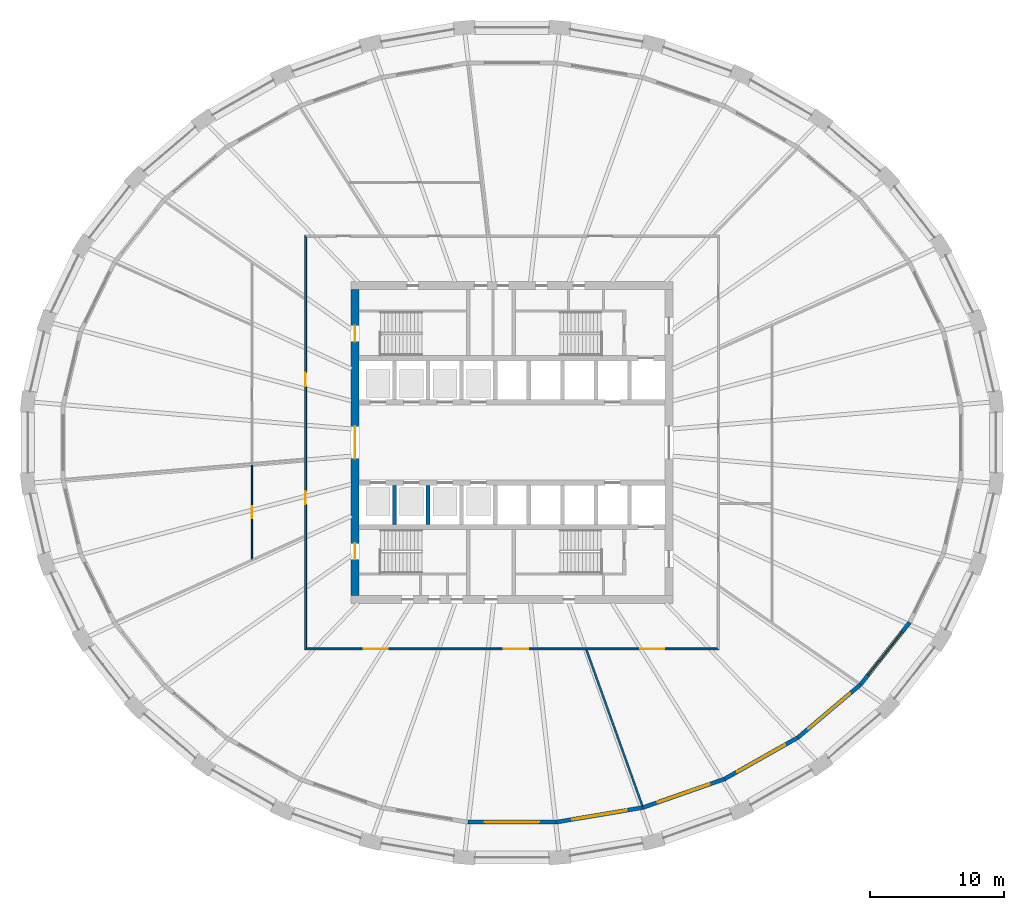
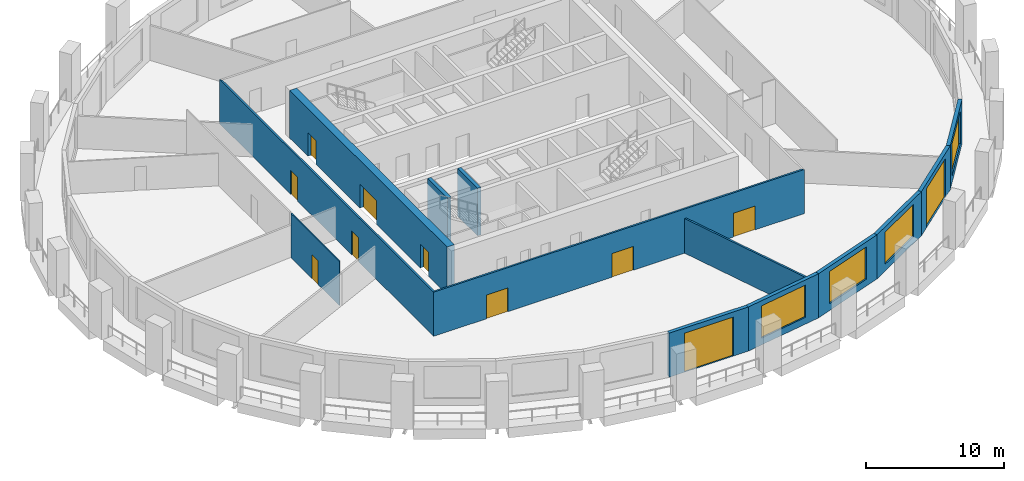
# One storey, part 3 of 10: 13 walls, 11 doors, 4 windows, 15 openings.
"""IFC4 building model written with IfcOpenShell, lengths in metres."""

from ifc_helpers import new_model, si_unit, direction, frame, frame_2d, origin, place, context, subcontext, project, spatial, polyline, rectangle, outline, extrude, material, layer, layer_set, type_object, element, fill, save


model = new_model("IFC4")

# Units and contexts
model_context = context("Model", 3, precision=1e-05, world=origin(), true_north=direction((0.0, 1.0)))
body_context = subcontext(model_context, "Body", "Model", "MODEL_VIEW")
ifc_project = project(units=[si_unit("LENGTHUNIT", "METRE"), si_unit("AREAUNIT", "SQUARE_METRE"), si_unit("VOLUMEUNIT", "CUBIC_METRE"), si_unit("PLANEANGLEUNIT", "RADIAN"), si_unit("MASSUNIT", "GRAM", prefix="KILO")], contexts=[model_context])

# Site, building, storey
site_placement = place(None, origin())
site = spatial("IfcSite", under=ifc_project, at=site_placement, CompositionType="ELEMENT")
building_placement = place(site_placement, origin())
building = spatial("IfcBuilding", under=site, at=building_placement, Name="Halqa Exchange Tower", CompositionType="ELEMENT")
storey_placement = place(building_placement, frame((0.0, 0.0, 86.5)))
storey = spatial("IfcBuildingStorey", under=building, at=storey_placement, Name="L19", CompositionType="ELEMENT", Elevation=86.5)

# Wall, openings, doors
ifc_material_1 = material(Name="Fire-rated gypsum board")
ifc_layer_1 = layer(ifc_material_1, 0.14990234375)
ifc_layer_set_1 = layer_set([ifc_layer_1], Name="Fire-rated gypsum board")
wall_type_1 = type_object("IfcWallType", Name="Fire partition EI 60 150", PredefinedType="PARTITIONING", material=ifc_layer_set_1)
wall_1_placement = place(storey_placement, frame((-15.39990234375, -15.47509765625, 0.0), z_axis=(0.0, 0.0, 1.0), x_axis=(0.0, 1.0, 0.0)))
wall_1 = element("IfcWall", 1, at=wall_1_placement, inside=storey, type_object=wall_type_1, Name="L19-PWL-009", PredefinedType="PARTITIONING", context=body_context, shape_type="SweptSolid", body=[
    extrude(outline(polyline([(0.150146484375, -0.074951171875), (2.065673828125, -0.074951171875), (3.9814453125, -0.074951171875), (5.89697265625, -0.074951171875), (7.8125, -0.074951171875), (9.728271484375, -0.074951171875), (11.643798828125, -0.074951171875), (13.5595703125, -0.074951171875), (15.47509765625, -0.074951171875), (17.390625, -0.074951171875), (19.306396484375, -0.074951171875), (21.221923828125, -0.074951171875), (23.1376953125, -0.074951171875), (25.05322265625, -0.074951171875), (26.96875, -0.074951171875), (28.884521484375, -0.074951171875), (30.800048828125, -0.074951171875), (30.949951171875, 0.074951171875), (29.015625, 0.074951171875), (27.081298828125, 0.074951171875), (25.14697265625, 0.074951171875), (23.21240234375, 0.074951171875), (21.278076171875, 0.074951171875), (19.34375, 0.074951171875), (17.409423828125, 0.074951171875), (15.47509765625, 0.074951171875), (13.540771484375, 0.074951171875), (11.6064453125, 0.074951171875), (9.672119140625, 0.074951171875), (7.73779296875, 0.074951171875), (5.80322265625, 0.074951171875), (3.868896484375, 0.074951171875), (1.9345703125, 0.074951171875), (0.000244140625, 0.074951171875), (0.150146484375, -0.074951171875)])), origin(), (0.0, 0.0, 1.0), 3.89990234375),
])
opening_1_placement = place(wall_1_placement, frame((19.675048828125, 0.0, 0.0)))
opening_1 = element("IfcOpeningElement", 2, at=opening_1_placement, cuts=wall_1, Name="Opening 06-07", PredefinedType="OPENING", context=body_context, shape_type="SweptSolid", body=[
    extrude(rectangle(XDim=1.0, YDim=2.10009765625, at=frame_2d((0.5, 1.050048828125))), frame((0.0, 0.0869140625, 0.0), z_axis=(0.0, -1.0, 0.0), x_axis=(1.0, 0.0, 0.0)), (0.0, 0.0, 1.0), 0.173828125),
])
opening_2_placement = place(wall_1_placement, frame((10.85498046875, 0.0, 0.0)))
opening_2 = element("IfcOpeningElement", 3, at=opening_2_placement, cuts=wall_1, Name="Opening 06-08", PredefinedType="OPENING", context=body_context, shape_type="SweptSolid", body=[
    extrude(rectangle(XDim=1.0, YDim=2.10009765625, at=frame_2d((0.5, 1.050048828125))), frame((0.0, 0.0869140625, 0.0), z_axis=(0.0, -1.0, 0.0), x_axis=(1.0, 0.0, 0.0)), (0.0, 0.0, 1.0), 0.173828125),
])
ifc_material_2 = material(Name="Steel fire door leaf", Category="steel")
door_type_1 = type_object("IfcDoorType", Name="Fire door FD30S 1000 x 2100", OperationType="SINGLE_SWING_LEFT", PredefinedType="DOOR", material=ifc_material_2)
door_1_placement = place(opening_1_placement, origin())
door_1 = element("IfcDoor", 4, at=door_1_placement, inside=storey, type_object=door_type_1, Name="L19-IDR-007", OperationType="SINGLE_SWING_LEFT", OverallHeight=2.10009765625, OverallWidth=1.0, PredefinedType="DOOR", context=body_context, shape_type="SweptSolid", body=[
    extrude(rectangle(XDim=1.0, YDim=2.10009765625, at=frame_2d((0.5, 1.050048828125))), frame((0.0, 0.02490234375, 0.0), z_axis=(0.0, -1.0, 0.0), x_axis=(1.0, 0.0, 0.0)), (0.0, 0.0, 1.0), 0.050048828125),
])
fill(opening_1, door_1)
door_2_placement = place(opening_2_placement, origin())
door_2 = element("IfcDoor", 5, at=door_2_placement, inside=storey, type_object=door_type_1, Name="L19-IDR-008", OperationType="SINGLE_SWING_RIGHT", OverallHeight=2.10009765625, OverallWidth=1.0, PredefinedType="DOOR", context=body_context, shape_type="SweptSolid", body=[
    extrude(rectangle(XDim=1.0, YDim=2.10009765625, at=frame_2d((0.5, 1.050048828125))), frame((0.0, 0.02490234375, 0.0), z_axis=(0.0, -1.0, 0.0), x_axis=(1.0, 0.0, 0.0)), (0.0, 0.0, 1.0), 0.050048828125),
])
fill(opening_2, door_2)

wall_2_placement = place(storey_placement, frame((-15.47509765625, -15.39990234375, 0.0), z_axis=(0.0, 0.0, 1.0), x_axis=(1.0, 0.0, 0.0)))
wall_2 = element("IfcWall", 6, at=wall_2_placement, inside=storey, type_object=wall_type_1, Name="L19-PWL-010", PredefinedType="PARTITIONING", context=body_context, shape_type="SweptSolid", body=[
    extrude(outline(polyline([(0.000244140625, -0.074951171875), (1.9345703125, -0.074951171875), (3.868896484375, -0.074951171875), (5.80322265625, -0.074951171875), (7.73779296875, -0.074951171875), (9.672119140625, -0.074951171875), (11.6064453125, -0.074951171875), (13.540771484375, -0.074951171875), (15.47509765625, -0.074951171875), (17.409423828125, -0.074951171875), (19.34375, -0.074951171875), (21.278076171875, -0.074951171875), (23.21240234375, -0.074951171875), (25.14697265625, -0.074951171875), (27.081298828125, -0.074951171875), (29.015625, -0.074951171875), (30.949951171875, -0.074951171875), (30.800048828125, 0.074951171875), (28.884521484375, 0.074951171875), (26.96875, 0.074951171875), (25.05322265625, 0.074951171875), (23.1376953125, 0.074951171875), (21.221923828125, 0.074951171875), (19.306396484375, 0.074951171875), (17.390625, 0.074951171875), (15.47509765625, 0.074951171875), (13.5595703125, 0.074951171875), (11.643798828125, 0.074951171875), (9.728271484375, 0.074951171875), (7.8125, 0.074951171875), (5.89697265625, 0.074951171875), (3.9814453125, 0.074951171875), (2.065673828125, 0.074951171875), (0.150146484375, 0.074951171875), (0.000244140625, -0.074951171875)])), origin(), (0.0, 0.0, 1.0), 3.89990234375),
])
opening_3_placement = place(wall_2_placement, frame((4.407470703125, 0.0, 0.0)))
opening_3 = element("IfcOpeningElement", 7, at=opening_3_placement, cuts=wall_2, Name="Opening 06-09", PredefinedType="OPENING", context=body_context, shape_type="SweptSolid", body=[
    extrude(rectangle(XDim=1.800048828125, YDim=2.10009765625, at=frame_2d((0.89990234375, 1.050048828125))), frame((0.0, 0.0869140625, 0.0), z_axis=(0.0, -1.0, 0.0), x_axis=(1.0, 0.0, 0.0)), (0.0, 0.0, 1.0), 0.173828125),
])
opening_4_placement = place(wall_2_placement, frame((14.87255859375, 0.0, 0.0)))
opening_4 = element("IfcOpeningElement", 8, at=opening_4_placement, cuts=wall_2, Name="Opening 06-10", PredefinedType="OPENING", context=body_context, shape_type="SweptSolid", body=[
    extrude(rectangle(XDim=1.800048828125, YDim=2.10009765625, at=frame_2d((0.89990234375, 1.050048828125))), frame((0.0, 0.0869140625, 0.0), z_axis=(0.0, -1.0, 0.0), x_axis=(1.0, 0.0, 0.0)), (0.0, 0.0, 1.0), 0.173828125),
])
opening_5_placement = place(wall_2_placement, frame((25.0400390625, 0.0, 0.0)))
opening_5 = element("IfcOpeningElement", 9, at=opening_5_placement, cuts=wall_2, Name="Opening 06-11", PredefinedType="OPENING", context=body_context, shape_type="SweptSolid", body=[
    extrude(rectangle(XDim=1.800048828125, YDim=2.10009765625, at=frame_2d((0.89990234375, 1.050048828125))), frame((0.0, 0.0869140625, 0.0), z_axis=(0.0, -1.0, 0.0), x_axis=(1.0, 0.0, 0.0)), (0.0, 0.0, 1.0), 0.173828125),
])
door_type_2 = type_object("IfcDoorType", Name="Fire door FD30S double 1800 x 2100", OperationType="DOUBLE_DOOR_SINGLE_SWING", PredefinedType="DOOR", material=ifc_material_2)
door_3_placement = place(opening_3_placement, frame((1.800048828125, 0.0, 0.0), z_axis=(0.0, 0.0, 1.0), x_axis=(-1.0, 0.0, 0.0)))
door_3 = element("IfcDoor", 10, at=door_3_placement, inside=storey, type_object=door_type_2, Name="L19-IDR-009", OperationType="DOUBLE_DOOR_SINGLE_SWING", OverallHeight=2.10009765625, OverallWidth=1.800048828125, PredefinedType="DOOR", context=body_context, shape_type="SweptSolid", body=[
    extrude(rectangle(XDim=1.800048828125, YDim=2.10009765625, at=frame_2d((0.89990234375, 1.050048828125))), frame((0.0, 0.02490234375, 0.0), z_axis=(0.0, -1.0, 0.0), x_axis=(1.0, 0.0, 0.0)), (0.0, 0.0, 1.0), 0.050048828125),
])
fill(opening_3, door_3)
door_4_placement = place(opening_4_placement, frame((1.800048828125, 0.0, 0.0), z_axis=(0.0, 0.0, 1.0), x_axis=(-1.0, 0.0, 0.0)))
door_4 = element("IfcDoor", 11, at=door_4_placement, inside=storey, type_object=door_type_2, Name="L19-IDR-010", OperationType="DOUBLE_DOOR_SINGLE_SWING", OverallHeight=2.10009765625, OverallWidth=1.800048828125, PredefinedType="DOOR", context=body_context, shape_type="SweptSolid", body=[
    extrude(rectangle(XDim=1.800048828125, YDim=2.10009765625, at=frame_2d((0.89990234375, 1.050048828125))), frame((0.0, 0.02490234375, 0.0), z_axis=(0.0, -1.0, 0.0), x_axis=(1.0, 0.0, 0.0)), (0.0, 0.0, 1.0), 0.050048828125),
])
fill(opening_4, door_4)
door_5_placement = place(opening_5_placement, frame((1.800048828125, 0.0, 0.0), z_axis=(0.0, 0.0, 1.0), x_axis=(-1.0, 0.0, 0.0)))
door_5 = element("IfcDoor", 12, at=door_5_placement, inside=storey, type_object=door_type_2, Name="L19-IDR-011", OperationType="DOUBLE_DOOR_SINGLE_SWING", OverallHeight=2.10009765625, OverallWidth=1.800048828125, PredefinedType="DOOR", context=body_context, shape_type="SweptSolid", body=[
    extrude(rectangle(XDim=1.800048828125, YDim=2.10009765625, at=frame_2d((0.89990234375, 1.050048828125))), frame((0.0, 0.02490234375, 0.0), z_axis=(0.0, -1.0, 0.0), x_axis=(1.0, 0.0, 0.0)), (0.0, 0.0, 1.0), 0.050048828125),
])
fill(opening_5, door_5)

# Wall
wall_3_placement = place(storey_placement, frame((5.5478515625, -15.449951171875, 0.0), z_axis=(0.0, 0.0, 1.0), x_axis=(0.337393279859, -0.941363784467, 0.0)))
element("IfcWall", 13, at=wall_3_placement, inside=storey, type_object=wall_type_1, Name="L19-PWL-014", PredefinedType="PARTITIONING", context=body_context, shape_type="SweptSolid", body=[
    extrude(outline(polyline([(0.0, -0.074951171875), (1.76416015625, -0.074951171875), (3.528076171875, -0.074951171875), (5.292236328125, -0.074951171875), (7.05615234375, -0.074951171875), (8.8203125, -0.074951171875), (10.584228515625, -0.074951171875), (12.348388671875, -0.074951171875), (12.3623046875, 0.0029296875), (12.36279296875, 0.056640625), (12.36279296875, 0.074951171875), (10.604248046875, 0.074951171875), (8.845947265625, 0.074951171875), (7.08740234375, 0.074951171875), (5.328857421875, 0.074951171875), (3.5703125, 0.074951171875), (1.81201171875, 0.074951171875), (0.053466796875, 0.074951171875), (0.0, -0.07421875), (0.0, -0.074951171875)])), origin(), (0.0, 0.0, 1.0), 3.06005859375),
])

# Wall, opening, door
ifc_material_3 = material(Name="Gypsum board")
ifc_layer_2 = layer(ifc_material_3, 0.10009765625)
ifc_layer_set_2 = layer_set([ifc_layer_2], Name="Gypsum board")
wall_type_2 = type_object("IfcWallType", Name="Partition 100 gypsum", PredefinedType="PARTITIONING", material=ifc_layer_set_2)
wall_4_placement = place(storey_placement, frame((-19.39990234375, -8.7099609375, 0.0), z_axis=(0.0, 0.0, 1.0), x_axis=(0.0, 1.0, 0.0)))
wall_4 = element("IfcWall", 14, at=wall_4_placement, inside=storey, type_object=wall_type_2, Name="L19-PWL-005", PredefinedType="PARTITIONING", context=body_context, shape_type="SweptSolid", body=[
    extrude(outline(polyline([(0.04052734375, -0.050048828125), (0.041259765625, -0.050048828125), (0.04443359375, -0.048583984375), (0.044921875, -0.050048828125), (1.7900390625, -0.050048828125), (3.534912109375, -0.050048828125), (5.280029296875, -0.050048828125), (7.02490234375, -0.050048828125), (7.02490234375, -0.0439453125), (7.01708984375, 0.050048828125), (5.2626953125, 0.050048828125), (3.508544921875, 0.050048828125), (1.754150390625, 0.050048828125), (0.0, 0.050048828125), (0.0, 0.04931640625), (0.044189453125, -0.04833984375), (0.04052734375, -0.050048828125)])), origin(), (0.0, 0.0, 1.0), 3.89990234375),
])
opening_6_placement = place(wall_4_placement, frame((3.074951171875, 0.0, 0.0)))
opening_6 = element("IfcOpeningElement", 15, at=opening_6_placement, cuts=wall_4, Name="Opening 06-16", PredefinedType="OPENING", context=body_context, shape_type="SweptSolid", body=[
    extrude(rectangle(XDim=0.89990234375, YDim=2.10009765625, at=frame_2d((0.449951171875, 1.050048828125))), frame((0.0, 0.06201171875, 0.0), z_axis=(0.0, -1.0, 0.0), x_axis=(1.0, 0.0, 0.0)), (0.0, 0.0, 1.0), 0.1240234375),
])
ifc_material_4 = material(Name="Timber door leaf", Category="wood")
door_type_3 = type_object("IfcDoorType", Name="Door 900 x 2100", OperationType="SINGLE_SWING_LEFT", PredefinedType="DOOR", material=ifc_material_4)
door_6_placement = place(opening_6_placement, frame((0.89990234375, 0.0, 0.0), z_axis=(0.0, 0.0, 1.0), x_axis=(-1.0, 0.0, 0.0)))
door_6 = element("IfcDoor", 16, at=door_6_placement, inside=storey, type_object=door_type_3, Name="L19-IDR-016", OperationType="SINGLE_SWING_LEFT", OverallHeight=2.10009765625, OverallWidth=0.89990234375, PredefinedType="DOOR", context=body_context, shape_type="SweptSolid", body=[
    extrude(rectangle(XDim=0.89990234375, YDim=2.10009765625, at=frame_2d((0.449951171875, 1.050048828125))), frame((0.0, 0.02490234375, 0.0), z_axis=(0.0, -1.0, 0.0), x_axis=(1.0, 0.0, 0.0)), (0.0, 0.0, 1.0), 0.050048828125),
])
fill(opening_6, door_6)

# Walls
ifc_material_5 = material(Name="Concrete C60/75", Category="concrete")
ifc_layer_3 = layer(ifc_material_5, 0.300048828125)
ifc_layer_set_3 = layer_set([ifc_layer_3], Name="Concrete C60/75")
wall_type_3 = type_object("IfcWallType", Name="RC core wall 300", PredefinedType="SHEAR", material=ifc_layer_set_3)
for number, where, z_axis, x_axis, name in (
    (17, (-8.75, -6.10009765625, 0.0), (0.0, 0.0, 1.0), (0.0, 1.0, 0.0), "Shaft divider S1"),
    (18, (-6.25, -6.10009765625, 0.0), (0.0, 0.0, 1.0), (0.0, 1.0, 0.0), "Shaft divider S2"),
):
    element("IfcWall", number, at=place(storey_placement, frame(where, z_axis=z_axis, x_axis=x_axis)), inside=storey, type_object=wall_type_3, Name=name, PredefinedType="SHEAR", context=body_context, shape_type="SweptSolid", body=[
        extrude(rectangle(XDim=2.900146484375, YDim=0.300048828125, at=frame_2d((1.4501953125, 0.0))), origin(), (0.0, 0.0, 1.0), 4.199951171875),
    ])

# Wall, openings, doors
ifc_material_6 = material(Name="Concrete C80/95", Category="concrete")
ifc_layer_4 = layer(ifc_material_6, 0.60009765625)
ifc_layer_set_4 = layer_set([ifc_layer_4], Name="Concrete C80/95")
wall_type_4 = type_object("IfcWallType", Name="RC core wall 600 C80/95", PredefinedType="SHEAR", material=ifc_layer_set_4)
wall_5_placement = place(storey_placement, frame((-11.699951171875, -11.39990234375, 0.0), z_axis=(0.0, 0.0, 1.0), x_axis=(0.0, 1.0, 0.0)))
wall_5 = element("IfcWall", 19, at=wall_5_placement, inside=storey, type_object=wall_type_4, Name="Core wall west", PredefinedType="SHEAR", context=body_context, shape_type="SweptSolid", body=[
    extrude(rectangle(XDim=22.7998046875, YDim=0.60009765625, at=frame_2d((11.39990234375, 0.0))), origin(), (0.0, 0.0, 1.0), 4.199951171875),
])
opening_7_placement = place(wall_5_placement, frame((10.199951171875, 0.0, 0.0)))
opening_7 = element("IfcOpeningElement", 20, at=opening_7_placement, cuts=wall_5, Name="Opening T06-C13", PredefinedType="OPENING", context=body_context, shape_type="SweptSolid", body=[
    extrude(rectangle(XDim=2.39990234375, YDim=2.10009765625, at=frame_2d((1.199951171875, 1.050048828125))), frame((0.0, 0.31201171875, 0.0), z_axis=(0.0, -1.0, 0.0), x_axis=(1.0, 0.0, 0.0)), (0.0, 0.0, 1.0), 0.6240234375),
])
opening_8_placement = place(wall_5_placement, frame((18.925048828125, 0.0, 0.0)))
opening_8 = element("IfcOpeningElement", 21, at=opening_8_placement, cuts=wall_5, Name="Opening T06-C15", PredefinedType="OPENING", context=body_context, shape_type="SweptSolid", body=[
    extrude(rectangle(XDim=1.199951171875, YDim=2.10009765625, at=frame_2d((0.60009765625, 1.050048828125))), frame((0.0, 0.31201171875, 0.0), z_axis=(0.0, -1.0, 0.0), x_axis=(1.0, 0.0, 0.0)), (0.0, 0.0, 1.0), 0.6240234375),
])
opening_9_placement = place(wall_5_placement, frame((2.675048828125, 0.0, 0.0)))
opening_9 = element("IfcOpeningElement", 22, at=opening_9_placement, cuts=wall_5, Name="Opening T06-C17", PredefinedType="OPENING", context=body_context, shape_type="SweptSolid", body=[
    extrude(rectangle(XDim=1.199951171875, YDim=2.10009765625, at=frame_2d((0.60009765625, 1.050048828125))), frame((0.0, 0.31201171875, 0.0), z_axis=(0.0, -1.0, 0.0), x_axis=(1.0, 0.0, 0.0)), (0.0, 0.0, 1.0), 0.6240234375),
])
door_type_4 = type_object("IfcDoorType", Name="Lobby double door FD60 2400 x 2100", OperationType="DOUBLE_DOOR_SINGLE_SWING", PredefinedType="DOOR", material=ifc_material_2)
door_7_placement = place(opening_7_placement, frame((2.39990234375, 0.0, 0.0), z_axis=(0.0, 0.0, 1.0), x_axis=(-1.0, 0.0, 0.0)))
door_7 = element("IfcDoor", 23, at=door_7_placement, inside=storey, type_object=door_type_4, Name="Lift lobby double door", OperationType="DOUBLE_DOOR_SINGLE_SWING", OverallHeight=2.10009765625, OverallWidth=2.39990234375, PredefinedType="DOOR", context=body_context, shape_type="SweptSolid", body=[
    extrude(rectangle(XDim=2.39990234375, YDim=2.10009765625, at=frame_2d((1.199951171875, 1.050048828125))), frame((0.0, 0.02490234375, 0.0), z_axis=(0.0, -1.0, 0.0), x_axis=(1.0, 0.0, 0.0)), (0.0, 0.0, 1.0), 0.050048828125),
])
fill(opening_7, door_7)
door_type_5 = type_object("IfcDoorType", Name="Stair door FD90 1200 x 2100", OperationType="SINGLE_SWING_LEFT", PredefinedType="DOOR", material=ifc_material_2)
door_8_placement = place(opening_8_placement, frame((1.199951171875, 0.0, 0.0), z_axis=(0.0, 0.0, 1.0), x_axis=(-1.0, 0.0, 0.0)))
door_8 = element("IfcDoor", 24, at=door_8_placement, inside=storey, type_object=door_type_5, Name="Stair door ST1", OperationType="SINGLE_SWING_LEFT", OverallHeight=2.10009765625, OverallWidth=1.199951171875, PredefinedType="DOOR", context=body_context, shape_type="SweptSolid", body=[
    extrude(rectangle(XDim=1.199951171875, YDim=2.10009765625, at=frame_2d((0.60009765625, 1.050048828125))), frame((0.0, 0.02490234375, 0.0), z_axis=(0.0, -1.0, 0.0), x_axis=(1.0, 0.0, 0.0)), (0.0, 0.0, 1.0), 0.050048828125),
])
fill(opening_8, door_8)
door_9_placement = place(opening_9_placement, frame((1.199951171875, 0.0, 0.0), z_axis=(0.0, 0.0, 1.0), x_axis=(-1.0, 0.0, 0.0)))
door_9 = element("IfcDoor", 25, at=door_9_placement, inside=storey, type_object=door_type_5, Name="Stair door ST3", OperationType="SINGLE_SWING_LEFT", OverallHeight=2.10009765625, OverallWidth=1.199951171875, PredefinedType="DOOR", context=body_context, shape_type="SweptSolid", body=[
    extrude(rectangle(XDim=1.199951171875, YDim=2.10009765625, at=frame_2d((0.60009765625, 1.050048828125))), frame((0.0, 0.02490234375, 0.0), z_axis=(0.0, -1.0, 0.0), x_axis=(1.0, 0.0, 0.0)), (0.0, 0.0, 1.0), 0.050048828125),
])
fill(opening_9, door_9)

# Wall, opening, door
ifc_material_7 = material(Name="Limestone cladding", Category="masonry")
ifc_layer_5 = layer(ifc_material_7, 0.0400390625)
ifc_material_8 = material(Name="Ventilated cavity")
ifc_layer_6 = layer(ifc_material_8, 0.030029296875, ventilated=True)
ifc_material_9 = material(Name="Mineral wool insulation")
ifc_layer_7 = layer(ifc_material_9, 0.10009765625)
ifc_material_10 = material(Name="Concrete C30/37", Category="concrete")
ifc_layer_8 = layer(ifc_material_10, 0.10009765625)
ifc_material_11 = material(Name="Internal plaster")
ifc_layer_9 = layer(ifc_material_11, 0.030029296875)
ifc_layer_set_5 = layer_set([ifc_layer_5, ifc_layer_6, ifc_layer_7, ifc_layer_8, ifc_layer_9], Name="Stone-faced insulated wall 300")
wall_type_5 = type_object("IfcWallType", Name="Stone-faced insulated wall 300", PredefinedType="STANDARD", material=ifc_layer_set_5)
wall_6_placement = place(storey_placement, frame((-3.294921875, -28.319091796875, 0.0), z_axis=(0.0, 0.0, 1.0), x_axis=(1.0, 0.0, 0.0)))
wall_6 = element("IfcWall", 26, at=wall_6_placement, inside=storey, type_object=wall_type_5, Name="Glass-line wall 24", PredefinedType="STANDARD", context=body_context, shape_type="SweptSolid", body=[
    extrude(outline(polyline([(-0.012451171875, -0.14990234375), (6.602294921875, -0.14990234375), (6.577392578125, 0.14990234375), (0.012451171875, 0.14990234375), (-0.012451171875, -0.14990234375)])), origin(), (0.0, 0.0, 1.0), 3.89990234375),
])
opening_10_placement = place(wall_6_placement, frame((1.2451171875, 0.0, 0.0)))
opening_10 = element("IfcOpeningElement", 27, at=opening_10_placement, cuts=wall_6, Name="Opening LG-F1-06", PredefinedType="OPENING", context=body_context, shape_type="SweptSolid", body=[
    extrude(rectangle(XDim=4.10009765625, YDim=3.449951171875, at=frame_2d((2.050048828125, 1.72509765625))), frame((0.0, 0.162109375, 0.0), z_axis=(0.0, -1.0, 0.0), x_axis=(1.0, 0.0, 0.0)), (0.0, 0.0, 1.0), 0.323974609375),
])
ifc_material_12 = material(Name="Clear low-emissivity glass in aluminium frame", Category="aluminium")
door_type_6 = type_object("IfcDoorType", Name="Glazed sliding loggia door 4100 x 3450", OperationType="DOUBLE_DOOR_SLIDING", PredefinedType="DOOR", material=ifc_material_12)
door_10_placement = place(opening_10_placement, origin())
door_10 = element("IfcDoor", 28, at=door_10_placement, inside=storey, type_object=door_type_6, Name="Loggia door 6", OperationType="DOUBLE_DOOR_SLIDING", OverallHeight=3.449951171875, OverallWidth=4.10009765625, PredefinedType="DOOR", context=body_context, shape_type="SweptSolid", body=[
    extrude(rectangle(XDim=4.10009765625, YDim=3.449951171875, at=frame_2d((2.050048828125, 1.72509765625))), frame((0.0, 0.02490234375, 0.0), z_axis=(0.0, -1.0, 0.0), x_axis=(1.0, 0.0, 0.0)), (0.0, 0.0, 1.0), 0.050048828125),
])
fill(opening_10, door_10)

# Wall, opening, window
wall_7_placement = place(storey_placement, frame((3.294921875, -28.319091796875, 0.0), z_axis=(0.0, 0.0, 1.0), x_axis=(0.986162431544, 0.165781961053, 0.0)))
wall_7 = element("IfcWall", 29, at=wall_7_placement, inside=storey, type_object=wall_type_5, Name="Glass-line wall 25", PredefinedType="STANDARD", context=body_context, shape_type="SweptSolid", body=[
    extrude(outline(polyline([(-0.012451171875, -0.14990234375), (6.567626953125, -0.14990234375), (6.542236328125, 0.14990234375), (0.012451171875, 0.14990234375), (-0.012451171875, -0.14990234375)])), origin(), (0.0, 0.0, 1.0), 3.89990234375),
])
opening_11_placement = place(wall_7_placement, frame((1.227294921875, 0.0, 0.60009765625)))
opening_11 = element("IfcOpeningElement", 30, at=opening_11_placement, cuts=wall_7, Name="Opening W-F1-25", PredefinedType="OPENING", context=body_context, shape_type="SweptSolid", body=[
    extrude(rectangle(XDim=4.10009765625, YDim=2.85009765625, at=frame_2d((2.050048828125, 1.425048828125))), frame((0.0, 0.162109375, 0.0), z_axis=(0.0, -1.0, 0.0), x_axis=(1.0, 0.0, 0.0)), (0.0, 0.0, 1.0), 0.323974609375),
])
window_type = type_object("IfcWindowType", Name="Fixed clear glazed window 4100 x 2850", PartitioningType="TRIPLE_PANEL_VERTICAL", PredefinedType="WINDOW", material=ifc_material_12)
window_1_placement = place(opening_11_placement, origin())
window_1 = element("IfcWindow", 31, at=window_1_placement, inside=storey, type_object=window_type, Name="Window 1", OverallHeight=2.85009765625, OverallWidth=4.10009765625, PartitioningType="TRIPLE_PANEL_VERTICAL", PredefinedType="WINDOW", context=body_context, shape_type="SweptSolid", body=[
    extrude(rectangle(XDim=4.10009765625, YDim=2.85009765625, at=frame_2d((2.050048828125, 1.425048828125))), frame((0.0, 0.030029296875, 0.0), z_axis=(0.0, -1.0, 0.0), x_axis=(1.0, 0.0, 0.0)), (0.0, 0.0, 1.0), 0.06005859375),
])
fill(opening_11, window_1)

wall_8_placement = place(storey_placement, frame((9.759033203125, -27.232421875, 0.0), z_axis=(0.0, 0.0, 1.0), x_axis=(0.943820008365, 0.330459970057, 0.0)))
wall_8 = element("IfcWall", 32, at=wall_8_placement, inside=storey, type_object=wall_type_5, Name="Glass-line wall 26", PredefinedType="STANDARD", context=body_context, shape_type="SweptSolid", body=[
    extrude(outline(polyline([(-0.0126953125, -0.14990234375), (6.466064453125, -0.14990234375), (6.439208984375, 0.14990234375), (0.0126953125, 0.14990234375), (-0.0126953125, -0.14990234375)])), origin(), (0.0, 0.0, 1.0), 3.89990234375),
])
opening_12_placement = place(wall_8_placement, frame((1.17626953125, 0.0, 0.60009765625)))
opening_12 = element("IfcOpeningElement", 33, at=opening_12_placement, cuts=wall_8, Name="Opening W-F1-26", PredefinedType="OPENING", context=body_context, shape_type="SweptSolid", body=[
    extrude(rectangle(XDim=4.10009765625, YDim=2.85009765625, at=frame_2d((2.050048828125, 1.425048828125))), frame((0.0, 0.162109375, 0.0), z_axis=(0.0, -1.0, 0.0), x_axis=(1.0, 0.0, 0.0)), (0.0, 0.0, 1.0), 0.323974609375),
])
window_2_placement = place(opening_12_placement, origin())
window_2 = element("IfcWindow", 34, at=window_2_placement, inside=storey, type_object=window_type, Name="Window 1", OverallHeight=2.85009765625, OverallWidth=4.10009765625, PartitioningType="TRIPLE_PANEL_VERTICAL", PredefinedType="WINDOW", context=body_context, shape_type="SweptSolid", body=[
    extrude(rectangle(XDim=4.10009765625, YDim=2.85009765625, at=frame_2d((2.050048828125, 1.425048828125))), frame((0.0, 0.030029296875, 0.0), z_axis=(0.0, -1.0, 0.0), x_axis=(1.0, 0.0, 0.0)), (0.0, 0.0, 1.0), 0.06005859375),
])
fill(opening_12, window_2)

wall_9_placement = place(storey_placement, frame((15.84912109375, -25.10009765625, 0.0), z_axis=(0.0, 0.0, 1.0), x_axis=(0.870737550302, 0.491748023376, 0.0)))
wall_9 = element("IfcWall", 35, at=wall_9_placement, inside=storey, type_object=wall_type_5, Name="Glass-line wall 27", PredefinedType="STANDARD", context=body_context, shape_type="SweptSolid", body=[
    extrude(outline(polyline([(-0.013427734375, -0.14990234375), (6.310546875, -0.14990234375), (6.2822265625, 0.14990234375), (0.013427734375, 0.14990234375), (-0.013427734375, -0.14990234375)])), origin(), (0.0, 0.0, 1.0), 3.89990234375),
])
opening_13_placement = place(wall_9_placement, frame((1.09814453125, 0.0, 0.60009765625)))
opening_13 = element("IfcOpeningElement", 36, at=opening_13_placement, cuts=wall_9, Name="Opening W-F1-27", PredefinedType="OPENING", context=body_context, shape_type="SweptSolid", body=[
    extrude(rectangle(XDim=4.10009765625, YDim=2.85009765625, at=frame_2d((2.050048828125, 1.425048828125))), frame((0.0, 0.162109375, 0.0), z_axis=(0.0, -1.0, 0.0), x_axis=(1.0, 0.0, 0.0)), (0.0, 0.0, 1.0), 0.323974609375),
])
window_3_placement = place(opening_13_placement, origin())
window_3 = element("IfcWindow", 37, at=window_3_placement, inside=storey, type_object=window_type, Name="Window 1", OverallHeight=2.85009765625, OverallWidth=4.10009765625, PartitioningType="TRIPLE_PANEL_VERTICAL", PredefinedType="WINDOW", context=body_context, shape_type="SweptSolid", body=[
    extrude(rectangle(XDim=4.10009765625, YDim=2.85009765625, at=frame_2d((2.050048828125, 1.425048828125))), frame((0.0, 0.030029296875, 0.0), z_axis=(0.0, -1.0, 0.0), x_axis=(1.0, 0.0, 0.0)), (0.0, 0.0, 1.0), 0.06005859375),
])
fill(opening_13, window_3)

# Wall, opening, door
wall_10_placement = place(storey_placement, frame((21.33154296875, -22.00390625, 0.0), z_axis=(0.0, 0.0, 1.0), x_axis=(0.763753100684, 0.645508482667, 0.0)))
wall_10 = element("IfcWall", 38, at=wall_10_placement, inside=storey, type_object=wall_type_5, Name="Glass-line wall 28", PredefinedType="STANDARD", context=body_context, shape_type="SweptSolid", body=[
    extrude(outline(polyline([(-0.01416015625, -0.14990234375), (6.12255859375, -0.14990234375), (6.09228515625, 0.14990234375), (0.01416015625, 0.14990234375), (-0.01416015625, -0.14990234375)])), origin(), (0.0, 0.0, 1.0), 3.89990234375),
])
opening_14_placement = place(wall_10_placement, frame((1.003662109375, 0.0, 0.0)))
opening_14 = element("IfcOpeningElement", 39, at=opening_14_placement, cuts=wall_10, Name="Opening LG-F1-07", PredefinedType="OPENING", context=body_context, shape_type="SweptSolid", body=[
    extrude(rectangle(XDim=4.10009765625, YDim=3.449951171875, at=frame_2d((2.050048828125, 1.72509765625))), frame((0.0, 0.162109375, 0.0), z_axis=(0.0, -1.0, 0.0), x_axis=(1.0, 0.0, 0.0)), (0.0, 0.0, 1.0), 0.323974609375),
])
door_11_placement = place(opening_14_placement, origin())
door_11 = element("IfcDoor", 40, at=door_11_placement, inside=storey, type_object=door_type_6, Name="Loggia door 7", OperationType="DOUBLE_DOOR_SLIDING", OverallHeight=3.449951171875, OverallWidth=4.10009765625, PredefinedType="DOOR", context=body_context, shape_type="SweptSolid", body=[
    extrude(rectangle(XDim=4.10009765625, YDim=3.449951171875, at=frame_2d((2.050048828125, 1.72509765625))), frame((0.0, 0.02490234375, 0.0), z_axis=(0.0, -1.0, 0.0), x_axis=(1.0, 0.0, 0.0)), (0.0, 0.0, 1.0), 0.050048828125),
])
fill(opening_14, door_11)

# Wall, opening, window
wall_11_placement = place(storey_placement, frame((25.99609375, -18.0615234375, 0.0), z_axis=(0.0, 0.0, 1.0), x_axis=(0.620142219764, 0.784489405452, 0.0)))
wall_11 = element("IfcWall", 41, at=wall_11_placement, inside=storey, type_object=wall_type_5, Name="Glass-line wall 29", PredefinedType="STANDARD", context=body_context, shape_type="SweptSolid", body=[
    extrude(outline(polyline([(-0.01513671875, -0.14990234375), (5.928466796875, -0.14990234375), (5.896240234375, 0.14990234375), (0.01513671875, 0.14990234375), (-0.01513671875, -0.14990234375)])), origin(), (0.0, 0.0, 1.0), 3.89990234375),
])
opening_15_placement = place(wall_11_placement, frame((0.90625, 0.0, 0.60009765625)))
opening_15 = element("IfcOpeningElement", 42, at=opening_15_placement, cuts=wall_11, Name="Opening W-F1-29", PredefinedType="OPENING", context=body_context, shape_type="SweptSolid", body=[
    extrude(rectangle(XDim=4.10009765625, YDim=2.85009765625, at=frame_2d((2.050048828125, 1.425048828125))), frame((0.0, 0.162109375, 0.0), z_axis=(0.0, -1.0, 0.0), x_axis=(1.0, 0.0, 0.0)), (0.0, 0.0, 1.0), 0.323974609375),
])
window_4_placement = place(opening_15_placement, origin())
window_4 = element("IfcWindow", 43, at=window_4_placement, inside=storey, type_object=window_type, Name="Window 1", OverallHeight=2.85009765625, OverallWidth=4.10009765625, PartitioningType="TRIPLE_PANEL_VERTICAL", PredefinedType="WINDOW", context=body_context, shape_type="SweptSolid", body=[
    extrude(rectangle(XDim=4.10009765625, YDim=2.85009765625, at=frame_2d((2.050048828125, 1.425048828125))), frame((0.0, 0.030029296875, 0.0), z_axis=(0.0, -1.0, 0.0), x_axis=(1.0, 0.0, 0.0)), (0.0, 0.0, 1.0), 0.06005859375),
])
fill(opening_15, window_4)

save(model, "model.ifc")
